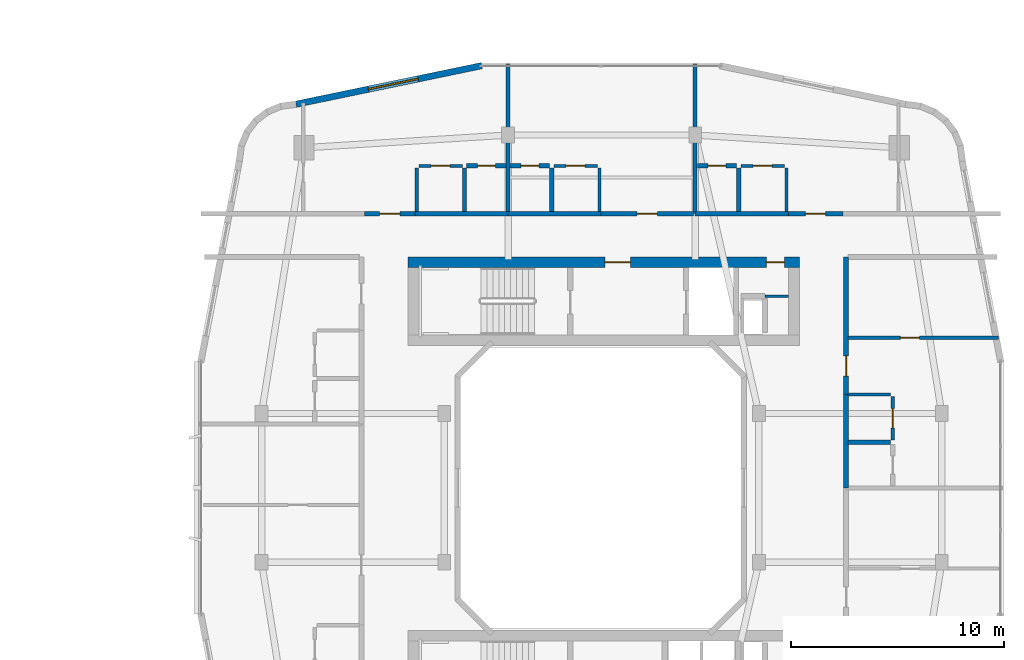
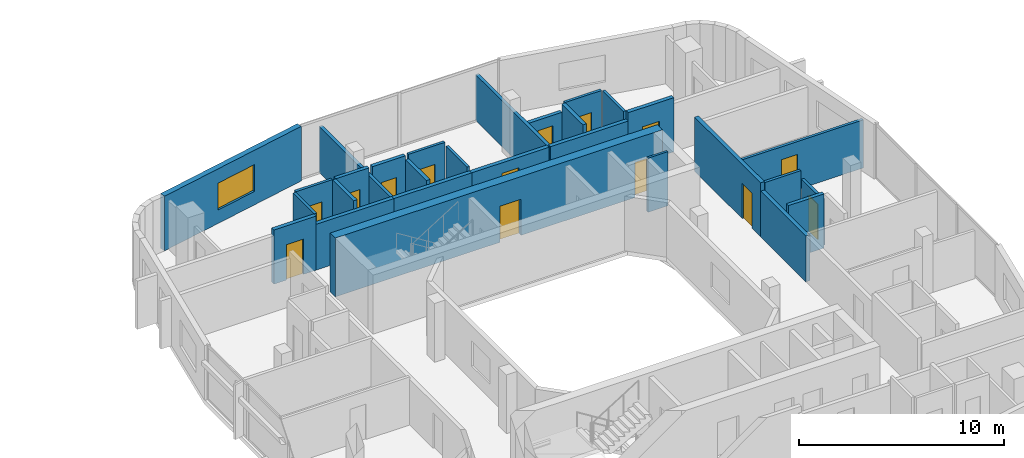
# One storey, part 20 of 27: 29 walls, 14 doors, 1 window, 15 openings.
"""IFC4 building model written with IfcOpenShell, lengths in metres."""

from ifc_helpers import new_model, si_unit, derived_unit, direction, frame, frame_2d, origin, place, context, subcontext, project, spatial, rectangle, extrude, material, layer, layer_set, type_object, element, fill, save


model = new_model("IFC4")

# Units and contexts
model_context = context("Model", 3, precision=1e-05, world=origin(), true_north=direction((0.0, 1.0)))
body_context = subcontext(model_context, "Body", "Model", "MODEL_VIEW")
ifc_project = project(units=[si_unit("LENGTHUNIT", "METRE"), si_unit("AREAUNIT", "SQUARE_METRE"), si_unit("VOLUMEUNIT", "CUBIC_METRE"), si_unit("PLANEANGLEUNIT", "RADIAN"), si_unit("MASSUNIT", "GRAM", prefix="KILO"), derived_unit("THERMALTRANSMITTANCEUNIT", [(si_unit("POWERUNIT", "WATT"), 1), (si_unit("LENGTHUNIT", "METRE"), -2), (si_unit("THERMODYNAMICTEMPERATUREUNIT", "KELVIN"), -1)])], contexts=[model_context])

# Site, building, storey
site_placement = place(None, origin())
site = spatial("IfcSite", under=ifc_project, at=site_placement, CompositionType="ELEMENT")
building_placement = place(site_placement, origin())
building = spatial("IfcBuilding", under=site, at=building_placement, Name="Kivonza Crest Hotel", CompositionType="ELEMENT")
storey_placement = place(building_placement, frame((0.0, 0.0, 73.0)))
storey = spatial("IfcBuildingStorey", under=building, at=storey_placement, Name="L19", CompositionType="ELEMENT", Elevation=73.0)

# Walls
ifc_material_1 = material(Name="High-density acoustic masonry inter-tenancy wall", Category="masonry")
ifc_layer_1 = layer(ifc_material_1, 0.179931640625)
ifc_layer_set_1 = layer_set([ifc_layer_1], Name="High-density acoustic masonry inter-tenancy wall")
wall_type_1 = type_object("IfcWallType", Name="WL-ACOU-180", PredefinedType="SOLIDWALL", material=ifc_layer_set_1)
for number, where, z_axis, x_axis, name in (
    (1, (72.60009765625, 37.89990234375, 0.0), (0.0, 0.0, 1.0), (0.0, 1.0, 0.0), "L19 interior partition WA-L19-T2N-DIV1"),
    (2, (81.39990234375, 37.89990234375, 0.0), (0.0, 0.0, 1.0), (0.0, 1.0, 0.0), "L19 interior partition WA-L19-T2N-DIV2"),
):
    element("IfcWall", number, at=place(storey_placement, frame(where, z_axis=z_axis, x_axis=x_axis)), inside=storey, type_object=wall_type_1, Name=name, PredefinedType="SOLIDWALL", context=body_context, shape_type="SweptSolid", body=[
        extrude(rectangle(XDim=7.0400390625, YDim=0.179931640625, at=frame_2d((3.52001953125, 0.0))), origin(), (0.0, 0.0, 1.0), 2.72509765625),
    ])
ifc_material_2 = material(Name="Autoclaved aerated concrete blockwork", Category="masonry")
ifc_layer_2 = layer(ifc_material_2, 0.219970703125)
ifc_layer_set_2 = layer_set([ifc_layer_2], Name="Autoclaved aerated concrete blockwork")
wall_type_2 = type_object("IfcWallType", Name="WL-ACOU-220", PredefinedType="SOLIDWALL", material=ifc_layer_set_2)
wall_1_placement = place(storey_placement, frame((68.219970703125, 37.89990234375, 0.0), z_axis=(0.0, 0.0, 1.0), x_axis=(1.0, 0.0, 0.0)))
element("IfcWall", 3, at=wall_1_placement, inside=storey, type_object=wall_type_2, Name="L19 interior partition WA-L19-A01-RCORR", PredefinedType="SOLIDWALL", context=body_context, shape_type="SweptSolid", body=[
    extrude(rectangle(XDim=4.380126953125, YDim=0.219970703125, at=frame_2d((2.18994140625, 0.0))), origin(), (0.0, 0.0, 1.0), 2.72509765625),
])

# Wall, opening, door
wall_2_placement = place(storey_placement, frame((65.85009765625, 37.89990234375, 0.0), z_axis=(0.0, 0.0, 1.0), x_axis=(1.0, 0.0, 0.0)))
wall_2 = element("IfcWall", 4, at=wall_2_placement, inside=storey, type_object=wall_type_2, Name="L19 interior partition WA-L19-A01-MCORR", PredefinedType="SOLIDWALL", context=body_context, shape_type="SweptSolid", body=[
    extrude(rectangle(XDim=2.369873046875, YDim=0.219970703125, at=frame_2d((1.18505859375, 0.0))), origin(), (0.0, 0.0, 1.0), 3.219970703125),
])
opening_1_placement = place(wall_2_placement, frame((0.7099609375, 0.0, 0.0)))
opening_1 = element("IfcOpeningElement", 5, at=opening_1_placement, cuts=wall_2, Name="Opening DU-60", PredefinedType="OPENING", context=body_context, shape_type="SweptSolid", body=[
    extrude(rectangle(XDim=0.949951171875, YDim=2.10009765625, at=frame_2d((0.47509765625, 1.050048828125))), frame((0.0, 0.1201171875, 0.0), z_axis=(0.0, -1.0, 0.0), x_axis=(1.0, 0.0, 0.0)), (0.0, 0.0, 1.0), 0.239990234375),
])
ifc_material_3 = material(Name="Hardwood timber oak", Category="wood")
door_type_1 = type_object("IfcDoorType", Name="DR-UNIT-950", OperationType="NOTDEFINED", PredefinedType="DOOR", material=ifc_material_3)
door_1_placement = place(opening_1_placement, origin())
door_1 = element("IfcDoor", 6, at=door_1_placement, inside=storey, type_object=door_type_1, Name="L19 A01 apartment entrance fire door", OperationType="SINGLE_SWING_LEFT", OverallHeight=2.10009765625, OverallWidth=0.949951171875, PredefinedType="DOOR", context=body_context, shape_type="SweptSolid", body=[
    extrude(rectangle(XDim=0.949951171875, YDim=2.10009765625, at=frame_2d((0.47509765625, 1.050048828125))), frame((0.0, 0.02490234375, 0.0), z_axis=(0.0, -1.0, 0.0), x_axis=(1.0, 0.0, 0.0)), (0.0, 0.0, 1.0), 0.050048828125),
])
fill(opening_1, door_1)

# Wall
wall_3_placement = place(storey_placement, frame((72.60009765625, 37.89990234375, 0.0), z_axis=(0.0, 0.0, 1.0), x_axis=(1.0, 0.0, 0.0)))
element("IfcWall", 7, at=wall_3_placement, inside=storey, type_object=wall_type_2, Name="L19 interior partition WA-L19-A02-LCORR", PredefinedType="SOLIDWALL", context=body_context, shape_type="SweptSolid", body=[
    extrude(rectangle(XDim=4.3798828125, YDim=0.219970703125, at=frame_2d((2.18994140625, 0.0))), origin(), (0.0, 0.0, 1.0), 2.72509765625),
])

# Wall, opening, door
wall_4_placement = place(storey_placement, frame((76.97998046875, 37.89990234375, 0.0), z_axis=(0.0, 0.0, 1.0), x_axis=(1.0, 0.0, 0.0)))
wall_4 = element("IfcWall", 8, at=wall_4_placement, inside=storey, type_object=wall_type_2, Name="L19 interior partition WA-L19-A02-MCORR", PredefinedType="SOLIDWALL", context=body_context, shape_type="SweptSolid", body=[
    extrude(rectangle(XDim=4.340087890625, YDim=0.219970703125, at=frame_2d((2.169921875, 0.0))), origin(), (0.0, 0.0, 1.0), 2.72509765625),
])
opening_2_placement = place(wall_4_placement, frame((1.695068359375, 0.0, 0.0)))
opening_2 = element("IfcOpeningElement", 9, at=opening_2_placement, cuts=wall_4, Name="Opening DU-60", PredefinedType="OPENING", context=body_context, shape_type="SweptSolid", body=[
    extrude(rectangle(XDim=0.949951171875, YDim=2.10009765625, at=frame_2d((0.47509765625, 1.050048828125))), frame((0.0, 0.1201171875, 0.0), z_axis=(0.0, -1.0, 0.0), x_axis=(1.0, 0.0, 0.0)), (0.0, 0.0, 1.0), 0.239990234375),
])
door_2_placement = place(opening_2_placement, origin())
door_2 = element("IfcDoor", 10, at=door_2_placement, inside=storey, type_object=door_type_1, Name="L19 A02 apartment entrance fire door", OperationType="SINGLE_SWING_RIGHT", OverallHeight=2.10009765625, OverallWidth=0.949951171875, PredefinedType="DOOR", context=body_context, shape_type="SweptSolid", body=[
    extrude(rectangle(XDim=0.949951171875, YDim=2.10009765625, at=frame_2d((0.47509765625, 1.050048828125))), frame((0.0, 0.02490234375, 0.0), z_axis=(0.0, -1.0, 0.0), x_axis=(1.0, 0.0, 0.0)), (0.0, 0.0, 1.0), 0.050048828125),
])
fill(opening_2, door_2)

# Wall
wall_5_placement = place(storey_placement, frame((81.39990234375, 37.89990234375, 0.0), z_axis=(0.0, 0.0, 1.0), x_axis=(1.0, 0.0, 0.0)))
element("IfcWall", 11, at=wall_5_placement, inside=storey, type_object=wall_type_2, Name="L19 interior partition WA-L19-A03-LCORR", PredefinedType="SOLIDWALL", context=body_context, shape_type="SweptSolid", body=[
    extrude(rectangle(XDim=4.380126953125, YDim=0.219970703125, at=frame_2d((2.18994140625, 0.0))), origin(), (0.0, 0.0, 1.0), 2.72509765625),
])

# Wall, opening, door
wall_6_placement = place(storey_placement, frame((85.780029296875, 37.89990234375, 0.0), z_axis=(0.0, 0.0, 1.0), x_axis=(1.0, 0.0, 0.0)))
wall_6 = element("IfcWall", 12, at=wall_6_placement, inside=storey, type_object=wall_type_2, Name="L19 interior partition WA-L19-A03-MCORR", PredefinedType="SOLIDWALL", context=body_context, shape_type="SweptSolid", body=[
    extrude(rectangle(XDim=2.570068359375, YDim=0.219970703125, at=frame_2d((1.28515625, 0.0))), origin(), (0.0, 0.0, 1.0), 3.219970703125),
])
opening_3_placement = place(wall_6_placement, frame((0.81005859375, 0.0, 0.0)))
opening_3 = element("IfcOpeningElement", 13, at=opening_3_placement, cuts=wall_6, Name="Opening DU-60", PredefinedType="OPENING", context=body_context, shape_type="SweptSolid", body=[
    extrude(rectangle(XDim=0.949951171875, YDim=2.10009765625, at=frame_2d((0.47509765625, 1.050048828125))), frame((0.0, 0.1201171875, 0.0), z_axis=(0.0, -1.0, 0.0), x_axis=(1.0, 0.0, 0.0)), (0.0, 0.0, 1.0), 0.239990234375),
])
door_3_placement = place(opening_3_placement, origin())
door_3 = element("IfcDoor", 14, at=door_3_placement, inside=storey, type_object=door_type_1, Name="L19 A03 apartment entrance fire door", OperationType="SINGLE_SWING_LEFT", OverallHeight=2.10009765625, OverallWidth=0.949951171875, PredefinedType="DOOR", context=body_context, shape_type="SweptSolid", body=[
    extrude(rectangle(XDim=0.949951171875, YDim=2.10009765625, at=frame_2d((0.47509765625, 1.050048828125))), frame((0.0, 0.02490234375, 0.0), z_axis=(0.0, -1.0, 0.0), x_axis=(1.0, 0.0, 0.0)), (0.0, 0.0, 1.0), 0.050048828125),
])
fill(opening_3, door_3)

# Wall
wall_7_placement = place(storey_placement, frame((88.5, 25.0, 0.0), z_axis=(0.0, 0.0, 1.0), x_axis=(0.0, 1.0, 0.0)))
element("IfcWall", 15, at=wall_7_placement, inside=storey, type_object=wall_type_2, Name="L19 interior partition WA-L19-A09-BCORR", PredefinedType="SOLIDWALL", context=body_context, shape_type="SweptSolid", body=[
    extrude(rectangle(XDim=4.39990234375, YDim=0.219970703125, at=frame_2d((2.199951171875, 0.0))), origin(), (0.0, 0.0, 1.0), 2.72509765625),
])

# Wall, opening, door
wall_8_placement = place(storey_placement, frame((88.5, 29.39990234375, 0.0), z_axis=(0.0, 0.0, 1.0), x_axis=(0.0, 1.0, 0.0)))
wall_8 = element("IfcWall", 16, at=wall_8_placement, inside=storey, type_object=wall_type_2, Name="L19 interior partition WA-L19-A09-MCORR", PredefinedType="SOLIDWALL", context=body_context, shape_type="SweptSolid", body=[
    extrude(rectangle(XDim=6.460205078125, YDim=0.219970703125, at=frame_2d((3.22998046875, 0.0))), origin(), (0.0, 0.0, 1.0), 3.219970703125),
])
opening_4_placement = place(wall_8_placement, frame((0.85498046875, 0.0, 0.0)))
opening_4 = element("IfcOpeningElement", 17, at=opening_4_placement, cuts=wall_8, Name="Opening DU-60", PredefinedType="OPENING", context=body_context, shape_type="SweptSolid", body=[
    extrude(rectangle(XDim=0.949951171875, YDim=2.10009765625, at=frame_2d((0.47509765625, 1.050048828125))), frame((0.0, 0.1201171875, 0.0), z_axis=(0.0, -1.0, 0.0), x_axis=(1.0, 0.0, 0.0)), (0.0, 0.0, 1.0), 0.239990234375),
])
door_4_placement = place(opening_4_placement, frame((0.949951171875, 0.0, 0.0), z_axis=(0.0, 0.0, 1.0), x_axis=(-1.0, 0.0, 0.0)))
door_4 = element("IfcDoor", 18, at=door_4_placement, inside=storey, type_object=door_type_1, Name="L19 A09 apartment entrance fire door", OperationType="SINGLE_SWING_LEFT", OverallHeight=2.10009765625, OverallWidth=0.949951171875, PredefinedType="DOOR", context=body_context, shape_type="SweptSolid", body=[
    extrude(rectangle(XDim=0.949951171875, YDim=2.10009765625, at=frame_2d((0.47509765625, 1.050048828125))), frame((0.0, 0.02490234375, 0.0), z_axis=(0.0, -1.0, 0.0), x_axis=(1.0, 0.0, 0.0)), (0.0, 0.0, 1.0), 0.050048828125),
])
fill(opening_4, door_4)

# Wall, openings, doors
ifc_material_4 = material(Name="Concrete C60/75", Category="concrete")
ifc_layer_3 = layer(ifc_material_4, 0.5)
ifc_layer_set_3 = layer_set([ifc_layer_3], Name="Concrete C60/75")
wall_type_3 = type_object("IfcWallType", Name="WL-CORE-500", PredefinedType="SHEAR", material=ifc_layer_set_3)
wall_9_placement = place(storey_placement, frame((67.89990234375, 35.610107421875, 0.0), z_axis=(0.0, 0.0, 1.0), x_axis=(1.0, 0.0, 0.0)))
wall_9 = element("IfcWall", 19, at=wall_9_placement, inside=storey, type_object=wall_type_3, Name="Core wall T2-N North L19", PredefinedType="SHEAR", context=body_context, shape_type="SweptSolid", body=[
    extrude(rectangle(XDim=18.400146484375, YDim=0.5, at=frame_2d((9.2001953125, 0.0))), origin(), (0.0, 0.0, 1.0), 3.5),
])
opening_5_placement = place(wall_9_placement, frame((9.25, 0.0, 0.0)))
opening_5 = element("IfcOpeningElement", 20, at=opening_5_placement, cuts=wall_9, Name="Opening DF-60", PredefinedType="OPENING", context=body_context, shape_type="SweptSolid", body=[
    extrude(rectangle(XDim=1.199951171875, YDim=2.14990234375, at=frame_2d((0.60009765625, 1.074951171875))), frame((0.0, 0.260009765625, 0.0), z_axis=(0.0, -1.0, 0.0), x_axis=(1.0, 0.0, 0.0)), (0.0, 0.0, 1.0), 0.52001953125),
])
opening_6_placement = place(wall_9_placement, frame((16.85009765625, 0.0, 0.0)))
opening_6 = element("IfcOpeningElement", 21, at=opening_6_placement, cuts=wall_9, Name="Opening DF-60R", PredefinedType="OPENING", context=body_context, shape_type="SweptSolid", body=[
    extrude(rectangle(XDim=0.85009765625, YDim=2.10009765625, at=frame_2d((0.425048828125, 1.050048828125))), frame((0.0, 0.260009765625, 0.0), z_axis=(0.0, -1.0, 0.0), x_axis=(1.0, 0.0, 0.0)), (0.0, 0.0, 1.0), 0.52001953125),
])
door_type_2 = type_object("IfcDoorType", Name="DR-FD60-1200", OperationType="NOTDEFINED", PredefinedType="DOOR", material=ifc_material_3)
door_5_placement = place(opening_5_placement, origin())
door_5 = element("IfcDoor", 22, at=door_5_placement, inside=storey, type_object=door_type_2, Name="L19 T2-N firefighting lobby fire door", OperationType="SINGLE_SWING_RIGHT", OverallHeight=2.14990234375, OverallWidth=1.199951171875, PredefinedType="DOOR", context=body_context, shape_type="SweptSolid", body=[
    extrude(rectangle(XDim=1.199951171875, YDim=2.14990234375, at=frame_2d((0.60009765625, 1.074951171875))), frame((0.0, 0.02490234375, 0.0), z_axis=(0.0, -1.0, 0.0), x_axis=(1.0, 0.0, 0.0)), (0.0, 0.0, 1.0), 0.050048828125),
])
fill(opening_5, door_5)
door_type_3 = type_object("IfcDoorType", Name="DR-FD60-850", OperationType="NOTDEFINED", PredefinedType="DOOR", material=ifc_material_3)
door_6_placement = place(opening_6_placement, origin())
door_6 = element("IfcDoor", 23, at=door_6_placement, inside=storey, type_object=door_type_3, Name="L19 T2-N core room door", OperationType="SINGLE_SWING_RIGHT", OverallHeight=2.10009765625, OverallWidth=0.85009765625, PredefinedType="DOOR", context=body_context, shape_type="SweptSolid", body=[
    extrude(rectangle(XDim=0.85009765625, YDim=2.10009765625, at=frame_2d((0.425048828125, 1.050048828125))), frame((0.0, 0.02490234375, 0.0), z_axis=(0.0, -1.0, 0.0), x_axis=(1.0, 0.0, 0.0)), (0.0, 0.0, 1.0), 0.050048828125),
])
fill(opening_6, door_6)

# Wall, opening, window
ifc_material_5 = material(Name="Precast concrete C40/50", Category="concrete")
ifc_layer_4 = layer(ifc_material_5, 0.300048828125)
ifc_layer_set_4 = layer_set([ifc_layer_4], Name="Precast concrete C40/50")
wall_type_4 = type_object("IfcWallType", Name="WL-EXT-300", PredefinedType="STANDARD", material=ifc_layer_set_4)
wall_10_placement = place(storey_placement, frame((71.35595703125, 44.864013671875, 0.0), z_axis=(0.0, 0.0, 1.0), x_axis=(-0.979127260729, -0.203248142175, 0.0)))
wall_10 = element("IfcWall", 24, at=wall_10_placement, inside=storey, type_object=wall_type_4, Name="L19 T2 exterior insulated wall 27", PredefinedType="STANDARD", context=body_context, shape_type="SweptSolid", body=[
    extrude(rectangle(XDim=8.920166015625, YDim=0.300048828125, at=frame_2d((4.4599609375, 0.0))), origin(), (0.0, 0.0, 1.0), 3.25),
])
opening_7_placement = place(wall_10_placement, frame((3.048095703125, 0.0, 0.800048828125)))
opening_7 = element("IfcOpeningElement", 25, at=opening_7_placement, cuts=wall_10, Name="Opening WN-05", PredefinedType="OPENING", context=body_context, shape_type="SweptSolid", body=[
    extrude(rectangle(XDim=2.39990234375, YDim=1.60009765625, at=frame_2d((1.199951171875, 0.800048828125))), frame((0.0, 0.16015625, 0.0), z_axis=(0.0, -1.0, 0.0), x_axis=(1.0, 0.0, 0.0)), (0.0, 0.0, 1.0), 0.320068359375),
])
ifc_material_6 = material(Name="Thermally broken bronze aluminium and low-E double glazing", Category="aluminium")
window_type = type_object("IfcWindowType", Name="WN-240x160", PartitioningType="TRIPLE_PANEL_VERTICAL", PredefinedType="WINDOW", material=ifc_material_6)
window_placement = place(opening_7_placement, origin())
window = element("IfcWindow", 26, at=window_placement, inside=storey, type_object=window_type, Name="L19 T2 facade window 27", OverallHeight=1.60009765625, OverallWidth=2.39990234375, PartitioningType="SINGLE_PANEL", PredefinedType="WINDOW", context=body_context, shape_type="SweptSolid", body=[
    extrude(rectangle(XDim=2.39990234375, YDim=1.60009765625, at=frame_2d((1.199951171875, 0.800048828125))), frame((0.0, 0.030029296875, 0.0), z_axis=(0.0, -1.0, 0.0), x_axis=(1.0, 0.0, 0.0)), (0.0, 0.0, 1.0), 0.06005859375),
])
fill(opening_7, window)

# Walls
ifc_material_7 = material(Name="Metal-stud gypsum board partition", Category="gypsum")
ifc_layer_5 = layer(ifc_material_7, 0.125)
ifc_layer_set_5 = layer_set([ifc_layer_5], Name="Metal-stud gypsum board partition")
wall_type_5 = type_object("IfcWallType", Name="WL-PART-125", PredefinedType="PARTITIONING", material=ifc_layer_set_5)
wall_11_placement = place(storey_placement, frame((84.679931640625, 34.02001953125, 0.0), z_axis=(0.0, 0.0, 1.0), x_axis=(1.0, 0.0, 0.0)))
element("IfcWall", 27, at=wall_11_placement, inside=storey, type_object=wall_type_5, Name="L19 interior partition WP-L19-T2-N-T2H", PredefinedType="PARTITIONING", context=body_context, shape_type="SweptSolid", body=[
    extrude(rectangle(XDim=1.1201171875, YDim=0.125, at=frame_2d((0.56005859375, 0.0))), origin(), (0.0, 0.0, 1.0), 3.219970703125),
])
ifc_material_8 = material(Name="Twin-stud acoustic gypsum board partition", Category="gypsum")
ifc_layer_6 = layer(ifc_material_8, 0.14990234375)
ifc_layer_set_6 = layer_set([ifc_layer_6], Name="Twin-stud acoustic gypsum board partition")
wall_type_6 = type_object("IfcWallType", Name="WL-PART-150", PredefinedType="PARTITIONING", material=ifc_layer_set_6)
wall_12_placement = place(storey_placement, frame((68.300048828125, 38.0, 0.0), z_axis=(0.0, 0.0, 1.0), x_axis=(0.0, 1.0, 0.0)))
element("IfcWall", 28, at=wall_12_placement, inside=storey, type_object=wall_type_6, Name="L19 interior partition WP-L19-A01-KF", PredefinedType="PARTITIONING", context=body_context, shape_type="SweptSolid", body=[
    extrude(rectangle(XDim=2.050048828125, YDim=0.14990234375, at=frame_2d((1.02490234375, 0.0))), origin(), (0.0, 0.0, 1.0), 3.219970703125),
])

# Wall, opening, door
wall_13_placement = place(storey_placement, frame((68.39990234375, 40.14990234375, 0.0), z_axis=(0.0, 0.0, 1.0), x_axis=(1.0, 0.0, 0.0)))
wall_13 = element("IfcWall", 29, at=wall_13_placement, inside=storey, type_object=wall_type_6, Name="L19 interior partition WP-L19-A01-KSVC", PredefinedType="PARTITIONING", context=body_context, shape_type="SweptSolid", body=[
    extrude(rectangle(XDim=2.050048828125, YDim=0.14990234375, at=frame_2d((1.02490234375, 0.0))), origin(), (0.0, 0.0, 1.0), 3.219970703125),
])
opening_8_placement = place(wall_13_placement, frame((0.574951171875, 0.0, 0.0)))
opening_8 = element("IfcOpeningElement", 30, at=opening_8_placement, cuts=wall_13, Name="Opening DI-90", PredefinedType="OPENING", context=body_context, shape_type="SweptSolid", body=[
    extrude(rectangle(XDim=0.89990234375, YDim=2.10009765625, at=frame_2d((0.449951171875, 1.050048828125))), frame((0.0, 0.0849609375, 0.0), z_axis=(0.0, -1.0, 0.0), x_axis=(1.0, 0.0, 0.0)), (0.0, 0.0, 1.0), 0.169921875),
])
door_type_4 = type_object("IfcDoorType", Name="DR-INT-900", OperationType="NOTDEFINED", PredefinedType="DOOR", material=ifc_material_3)
door_7_placement = place(opening_8_placement, origin())
door_7 = element("IfcDoor", 31, at=door_7_placement, inside=storey, type_object=door_type_4, Name="L19 A01 apartment kitchen door", OperationType="SINGLE_SWING_LEFT", OverallHeight=2.10009765625, OverallWidth=0.89990234375, PredefinedType="DOOR", context=body_context, shape_type="SweptSolid", body=[
    extrude(rectangle(XDim=0.89990234375, YDim=2.10009765625, at=frame_2d((0.449951171875, 1.050048828125))), frame((0.0, 0.02490234375, 0.0), z_axis=(0.0, -1.0, 0.0), x_axis=(1.0, 0.0, 0.0)), (0.0, 0.0, 1.0), 0.050048828125),
])
fill(opening_8, door_7)

# Wall
wall_14_placement = place(storey_placement, frame((76.89990234375, 38.0, 0.0), z_axis=(0.0, 0.0, 1.0), x_axis=(0.0, 1.0, 0.0)))
element("IfcWall", 32, at=wall_14_placement, inside=storey, type_object=wall_type_6, Name="L19 interior partition WP-L19-A02-KF", PredefinedType="PARTITIONING", context=body_context, shape_type="SweptSolid", body=[
    extrude(rectangle(XDim=2.050048828125, YDim=0.14990234375, at=frame_2d((1.02490234375, 0.0))), origin(), (0.0, 0.0, 1.0), 2.985107421875),
])

# Wall, opening, door
wall_15_placement = place(storey_placement, frame((74.75, 40.14990234375, 0.0), z_axis=(0.0, 0.0, 1.0), x_axis=(1.0, 0.0, 0.0)))
wall_15 = element("IfcWall", 33, at=wall_15_placement, inside=storey, type_object=wall_type_6, Name="L19 interior partition WP-L19-A02-KSVC", PredefinedType="PARTITIONING", context=body_context, shape_type="SweptSolid", body=[
    extrude(rectangle(XDim=2.050048828125, YDim=0.14990234375, at=frame_2d((1.02490234375, 0.0))), origin(), (0.0, 0.0, 1.0), 3.219970703125),
])
opening_9_placement = place(wall_15_placement, frame((0.574951171875, 0.0, 0.0)))
opening_9 = element("IfcOpeningElement", 34, at=opening_9_placement, cuts=wall_15, Name="Opening DI-90", PredefinedType="OPENING", context=body_context, shape_type="SweptSolid", body=[
    extrude(rectangle(XDim=0.89990234375, YDim=2.10009765625, at=frame_2d((0.449951171875, 1.050048828125))), frame((0.0, 0.0849609375, 0.0), z_axis=(0.0, -1.0, 0.0), x_axis=(1.0, 0.0, 0.0)), (0.0, 0.0, 1.0), 0.169921875),
])
door_8_placement = place(opening_9_placement, origin())
door_8 = element("IfcDoor", 35, at=door_8_placement, inside=storey, type_object=door_type_4, Name="L19 A02 apartment kitchen door", OperationType="SINGLE_SWING_RIGHT", OverallHeight=2.10009765625, OverallWidth=0.89990234375, PredefinedType="DOOR", context=body_context, shape_type="SweptSolid", body=[
    extrude(rectangle(XDim=0.89990234375, YDim=2.10009765625, at=frame_2d((0.449951171875, 1.050048828125))), frame((0.0, 0.02490234375, 0.0), z_axis=(0.0, -1.0, 0.0), x_axis=(1.0, 0.0, 0.0)), (0.0, 0.0, 1.0), 0.050048828125),
])
fill(opening_9, door_8)

# Wall
wall_16_placement = place(storey_placement, frame((85.699951171875, 38.0, 0.0), z_axis=(0.0, 0.0, 1.0), x_axis=(0.0, 1.0, 0.0)))
element("IfcWall", 36, at=wall_16_placement, inside=storey, type_object=wall_type_6, Name="L19 interior partition WP-L19-A03-KF", PredefinedType="PARTITIONING", context=body_context, shape_type="SweptSolid", body=[
    extrude(rectangle(XDim=2.050048828125, YDim=0.14990234375, at=frame_2d((1.02490234375, 0.0))), origin(), (0.0, 0.0, 1.0), 3.219970703125),
])

# Wall, opening, door
wall_17_placement = place(storey_placement, frame((83.550048828125, 40.14990234375, 0.0), z_axis=(0.0, 0.0, 1.0), x_axis=(1.0, 0.0, 0.0)))
wall_17 = element("IfcWall", 37, at=wall_17_placement, inside=storey, type_object=wall_type_6, Name="L19 interior partition WP-L19-A03-KSVC", PredefinedType="PARTITIONING", context=body_context, shape_type="SweptSolid", body=[
    extrude(rectangle(XDim=2.050048828125, YDim=0.14990234375, at=frame_2d((1.02490234375, 0.0))), origin(), (0.0, 0.0, 1.0), 3.219970703125),
])
opening_10_placement = place(wall_17_placement, frame((0.574951171875, 0.0, 0.0)))
opening_10 = element("IfcOpeningElement", 38, at=opening_10_placement, cuts=wall_17, Name="Opening DI-90", PredefinedType="OPENING", context=body_context, shape_type="SweptSolid", body=[
    extrude(rectangle(XDim=0.89990234375, YDim=2.10009765625, at=frame_2d((0.449951171875, 1.050048828125))), frame((0.0, 0.0849609375, 0.0), z_axis=(0.0, -1.0, 0.0), x_axis=(1.0, 0.0, 0.0)), (0.0, 0.0, 1.0), 0.169921875),
])
door_9_placement = place(opening_10_placement, origin())
door_9 = element("IfcDoor", 39, at=door_9_placement, inside=storey, type_object=door_type_4, Name="L19 A03 apartment kitchen door", OperationType="SINGLE_SWING_LEFT", OverallHeight=2.10009765625, OverallWidth=0.89990234375, PredefinedType="DOOR", context=body_context, shape_type="SweptSolid", body=[
    extrude(rectangle(XDim=0.89990234375, YDim=2.10009765625, at=frame_2d((0.449951171875, 1.050048828125))), frame((0.0, 0.02490234375, 0.0), z_axis=(0.0, -1.0, 0.0), x_axis=(1.0, 0.0, 0.0)), (0.0, 0.0, 1.0), 0.050048828125),
])
fill(opening_10, door_9)

wall_18_placement = place(storey_placement, frame((88.60009765625, 32.06005859375, 0.0), z_axis=(0.0, 0.0, 1.0), x_axis=(1.0, 0.0, 0.0)))
wall_18 = element("IfcWall", 40, at=wall_18_placement, inside=storey, type_object=wall_type_6, Name="L19 interior partition WP-L19-A09-BD1", PredefinedType="PARTITIONING", context=body_context, shape_type="SweptSolid", body=[
    extrude(rectangle(XDim=7.059814453125, YDim=0.14990234375, at=frame_2d((3.52978515625, 0.0))), origin(), (0.0, 0.0, 1.0), 2.864990234375),
])
opening_11_placement = place(wall_18_placement, frame((2.449951171875, 0.0, 0.0)))
opening_11 = element("IfcOpeningElement", 41, at=opening_11_placement, cuts=wall_18, Name="Opening DI-90", PredefinedType="OPENING", context=body_context, shape_type="SweptSolid", body=[
    extrude(rectangle(XDim=0.89990234375, YDim=2.10009765625, at=frame_2d((0.449951171875, 1.050048828125))), frame((0.0, 0.0849609375, 0.0), z_axis=(0.0, -1.0, 0.0), x_axis=(1.0, 0.0, 0.0)), (0.0, 0.0, 1.0), 0.169921875),
])
door_10_placement = place(opening_11_placement, origin())
door_10 = element("IfcDoor", 42, at=door_10_placement, inside=storey, type_object=door_type_4, Name="L19 A09 bedroom door", OperationType="SINGLE_SWING_RIGHT", OverallHeight=2.10009765625, OverallWidth=0.89990234375, PredefinedType="DOOR", context=body_context, shape_type="SweptSolid", body=[
    extrude(rectangle(XDim=0.89990234375, YDim=2.10009765625, at=frame_2d((0.449951171875, 1.050048828125))), frame((0.0, 0.02490234375, 0.0), z_axis=(0.0, -1.0, 0.0), x_axis=(1.0, 0.0, 0.0)), (0.0, 0.0, 1.0), 0.050048828125),
])
fill(opening_11, door_10)

# Wall
wall_19_placement = place(storey_placement, frame((88.60009765625, 29.39990234375, 0.0), z_axis=(0.0, 0.0, 1.0), x_axis=(1.0, 0.0, 0.0)))
element("IfcWall", 43, at=wall_19_placement, inside=storey, type_object=wall_type_6, Name="L19 interior partition WP-L19-A09-KF", PredefinedType="PARTITIONING", context=body_context, shape_type="SweptSolid", body=[
    extrude(rectangle(XDim=2.0, YDim=0.14990234375, at=frame_2d((1.0, 0.0))), origin(), (0.0, 0.0, 1.0), 3.219970703125),
])

# Wall, opening, door
wall_20_placement = place(storey_placement, frame((90.699951171875, 27.25, 0.0), z_axis=(0.0, 0.0, 1.0), x_axis=(0.0, 1.0, 0.0)))
wall_20 = element("IfcWall", 44, at=wall_20_placement, inside=storey, type_object=wall_type_6, Name="L19 interior partition WP-L19-A09-KSVC", PredefinedType="PARTITIONING", context=body_context, shape_type="SweptSolid", body=[
    extrude(rectangle(XDim=2.050048828125, YDim=0.14990234375, at=frame_2d((1.02490234375, 0.0))), origin(), (0.0, 0.0, 1.0), 2.72509765625),
])
opening_12_placement = place(wall_20_placement, frame((0.574951171875, 0.0, 0.0)))
opening_12 = element("IfcOpeningElement", 45, at=opening_12_placement, cuts=wall_20, Name="Opening DI-90", PredefinedType="OPENING", context=body_context, shape_type="SweptSolid", body=[
    extrude(rectangle(XDim=0.89990234375, YDim=2.10009765625, at=frame_2d((0.449951171875, 1.050048828125))), frame((0.0, 0.0849609375, 0.0), z_axis=(0.0, -1.0, 0.0), x_axis=(1.0, 0.0, 0.0)), (0.0, 0.0, 1.0), 0.169921875),
])
door_11_placement = place(opening_12_placement, frame((0.89990234375, 0.0, 0.0), z_axis=(0.0, 0.0, 1.0), x_axis=(-1.0, 0.0, 0.0)))
door_11 = element("IfcDoor", 46, at=door_11_placement, inside=storey, type_object=door_type_4, Name="L19 A09 apartment kitchen door", OperationType="SINGLE_SWING_LEFT", OverallHeight=2.10009765625, OverallWidth=0.89990234375, PredefinedType="DOOR", context=body_context, shape_type="SweptSolid", body=[
    extrude(rectangle(XDim=0.89990234375, YDim=2.10009765625, at=frame_2d((0.449951171875, 1.050048828125))), frame((0.0, 0.02490234375, 0.0), z_axis=(0.0, -1.0, 0.0), x_axis=(1.0, 0.0, 0.0)), (0.0, 0.0, 1.0), 0.050048828125),
])
fill(opening_12, door_11)

# Wall
ifc_material_9 = material(Name="Moisture-resistant plumbing chase partition wall", Category="gypsum")
ifc_layer_7 = layer(ifc_material_9, 0.199951171875)
ifc_layer_set_7 = layer_set([ifc_layer_7], Name="Moisture-resistant plumbing chase partition wall")
wall_type_7 = type_object("IfcWallType", Name="WL-PLUMB-200", PredefinedType="PLUMBINGWALL", material=ifc_layer_set_7)
wall_21_placement = place(storey_placement, frame((70.550048828125, 38.0, 0.0), z_axis=(0.0, 0.0, 1.0), x_axis=(0.0, 1.0, 0.0)))
element("IfcWall", 47, at=wall_21_placement, inside=storey, type_object=wall_type_7, Name="L19 interior partition WW-L19-A01-BK", PredefinedType="PLUMBINGWALL", context=body_context, shape_type="SweptSolid", body=[
    extrude(rectangle(XDim=2.050048828125, YDim=0.199951171875, at=frame_2d((1.02490234375, 0.0))), origin(), (0.0, 0.0, 1.0), 3.219970703125),
])

# Wall, opening, door
wall_22_placement = place(storey_placement, frame((70.64990234375, 40.14990234375, 0.0), z_axis=(0.0, 0.0, 1.0), x_axis=(1.0, 0.0, 0.0)))
wall_22 = element("IfcWall", 48, at=wall_22_placement, inside=storey, type_object=wall_type_7, Name="L19 interior partition WW-L19-A01-BSVC", PredefinedType="PLUMBINGWALL", context=body_context, shape_type="SweptSolid", body=[
    extrude(rectangle(XDim=1.85009765625, YDim=0.199951171875, at=frame_2d((0.925048828125, 0.0))), origin(), (0.0, 0.0, 1.0), 3.219970703125),
])
opening_13_placement = place(wall_22_placement, frame((0.5, 0.0, 0.0)))
opening_13 = element("IfcOpeningElement", 49, at=opening_13_placement, cuts=wall_22, Name="Opening DI-85", PredefinedType="OPENING", context=body_context, shape_type="SweptSolid", body=[
    extrude(rectangle(XDim=0.85009765625, YDim=2.10009765625, at=frame_2d((0.425048828125, 1.050048828125))), frame((0.0, 0.10986328125, 0.0), z_axis=(0.0, -1.0, 0.0), x_axis=(1.0, 0.0, 0.0)), (0.0, 0.0, 1.0), 0.219970703125),
])
door_type_5 = type_object("IfcDoorType", Name="DR-INT-850", OperationType="NOTDEFINED", PredefinedType="DOOR", material=ifc_material_3)
door_12_placement = place(opening_13_placement, origin())
door_12 = element("IfcDoor", 50, at=door_12_placement, inside=storey, type_object=door_type_5, Name="L19 A01 apartment bathroom door", OperationType="SINGLE_SWING_RIGHT", OverallHeight=2.10009765625, OverallWidth=0.85009765625, PredefinedType="DOOR", context=body_context, shape_type="SweptSolid", body=[
    extrude(rectangle(XDim=0.85009765625, YDim=2.10009765625, at=frame_2d((0.425048828125, 1.050048828125))), frame((0.0, 0.02490234375, 0.0), z_axis=(0.0, -1.0, 0.0), x_axis=(1.0, 0.0, 0.0)), (0.0, 0.0, 1.0), 0.050048828125),
])
fill(opening_13, door_12)

# Wall
wall_23_placement = place(storey_placement, frame((74.64990234375, 38.0, 0.0), z_axis=(0.0, 0.0, 1.0), x_axis=(0.0, 1.0, 0.0)))
element("IfcWall", 51, at=wall_23_placement, inside=storey, type_object=wall_type_7, Name="L19 interior partition WW-L19-A02-BK", PredefinedType="PLUMBINGWALL", context=body_context, shape_type="SweptSolid", body=[
    extrude(rectangle(XDim=2.050048828125, YDim=0.199951171875, at=frame_2d((1.02490234375, 0.0))), origin(), (0.0, 0.0, 1.0), 2.985107421875),
])

# Wall, opening, door
wall_24_placement = place(storey_placement, frame((72.699951171875, 40.14990234375, 0.0), z_axis=(0.0, 0.0, 1.0), x_axis=(1.0, 0.0, 0.0)))
wall_24 = element("IfcWall", 52, at=wall_24_placement, inside=storey, type_object=wall_type_7, Name="L19 interior partition WW-L19-A02-BSVC", PredefinedType="PLUMBINGWALL", context=body_context, shape_type="SweptSolid", body=[
    extrude(rectangle(XDim=1.85009765625, YDim=0.199951171875, at=frame_2d((0.925048828125, 0.0))), origin(), (0.0, 0.0, 1.0), 3.219970703125),
])
opening_14_placement = place(wall_24_placement, frame((0.5, 0.0, 0.0)))
opening_14 = element("IfcOpeningElement", 53, at=opening_14_placement, cuts=wall_24, Name="Opening DI-85", PredefinedType="OPENING", context=body_context, shape_type="SweptSolid", body=[
    extrude(rectangle(XDim=0.85009765625, YDim=2.10009765625, at=frame_2d((0.425048828125, 1.050048828125))), frame((0.0, 0.10986328125, 0.0), z_axis=(0.0, -1.0, 0.0), x_axis=(1.0, 0.0, 0.0)), (0.0, 0.0, 1.0), 0.219970703125),
])
door_13_placement = place(opening_14_placement, origin())
door_13 = element("IfcDoor", 54, at=door_13_placement, inside=storey, type_object=door_type_5, Name="L19 A02 apartment bathroom door", OperationType="SINGLE_SWING_LEFT", OverallHeight=2.10009765625, OverallWidth=0.85009765625, PredefinedType="DOOR", context=body_context, shape_type="SweptSolid", body=[
    extrude(rectangle(XDim=0.85009765625, YDim=2.10009765625, at=frame_2d((0.425048828125, 1.050048828125))), frame((0.0, 0.02490234375, 0.0), z_axis=(0.0, -1.0, 0.0), x_axis=(1.0, 0.0, 0.0)), (0.0, 0.0, 1.0), 0.050048828125),
])
fill(opening_14, door_13)

# Wall
wall_25_placement = place(storey_placement, frame((83.449951171875, 38.0, 0.0), z_axis=(0.0, 0.0, 1.0), x_axis=(0.0, 1.0, 0.0)))
element("IfcWall", 55, at=wall_25_placement, inside=storey, type_object=wall_type_7, Name="L19 interior partition WW-L19-A03-BK", PredefinedType="PLUMBINGWALL", context=body_context, shape_type="SweptSolid", body=[
    extrude(rectangle(XDim=2.050048828125, YDim=0.199951171875, at=frame_2d((1.02490234375, 0.0))), origin(), (0.0, 0.0, 1.0), 3.219970703125),
])

# Wall, opening, door
wall_26_placement = place(storey_placement, frame((81.5, 40.14990234375, 0.0), z_axis=(0.0, 0.0, 1.0), x_axis=(1.0, 0.0, 0.0)))
wall_26 = element("IfcWall", 56, at=wall_26_placement, inside=storey, type_object=wall_type_7, Name="L19 interior partition WW-L19-A03-BSVC", PredefinedType="PLUMBINGWALL", context=body_context, shape_type="SweptSolid", body=[
    extrude(rectangle(XDim=1.85009765625, YDim=0.199951171875, at=frame_2d((0.925048828125, 0.0))), origin(), (0.0, 0.0, 1.0), 2.72509765625),
])
opening_15_placement = place(wall_26_placement, frame((0.5, 0.0, 0.0)))
opening_15 = element("IfcOpeningElement", 57, at=opening_15_placement, cuts=wall_26, Name="Opening DI-85", PredefinedType="OPENING", context=body_context, shape_type="SweptSolid", body=[
    extrude(rectangle(XDim=0.85009765625, YDim=2.10009765625, at=frame_2d((0.425048828125, 1.050048828125))), frame((0.0, 0.10986328125, 0.0), z_axis=(0.0, -1.0, 0.0), x_axis=(1.0, 0.0, 0.0)), (0.0, 0.0, 1.0), 0.219970703125),
])
door_14_placement = place(opening_15_placement, origin())
door_14 = element("IfcDoor", 58, at=door_14_placement, inside=storey, type_object=door_type_5, Name="L19 A03 apartment bathroom door", OperationType="SINGLE_SWING_RIGHT", OverallHeight=2.10009765625, OverallWidth=0.85009765625, PredefinedType="DOOR", context=body_context, shape_type="SweptSolid", body=[
    extrude(rectangle(XDim=0.85009765625, YDim=2.10009765625, at=frame_2d((0.425048828125, 1.050048828125))), frame((0.0, 0.02490234375, 0.0), z_axis=(0.0, -1.0, 0.0), x_axis=(1.0, 0.0, 0.0)), (0.0, 0.0, 1.0), 0.050048828125),
])
fill(opening_15, door_14)

# Wall
wall_27_placement = place(storey_placement, frame((88.60009765625, 27.14990234375, 0.0), z_axis=(0.0, 0.0, 1.0), x_axis=(1.0, 0.0, 0.0)))
element("IfcWall", 59, at=wall_27_placement, inside=storey, type_object=wall_type_7, Name="L19 interior partition WW-L19-A09-BK", PredefinedType="PLUMBINGWALL", context=body_context, shape_type="SweptSolid", body=[
    extrude(rectangle(XDim=2.0, YDim=0.199951171875, at=frame_2d((1.0, 0.0))), origin(), (0.0, 0.0, 1.0), 3.219970703125),
])

save(model, "model.ifc")
